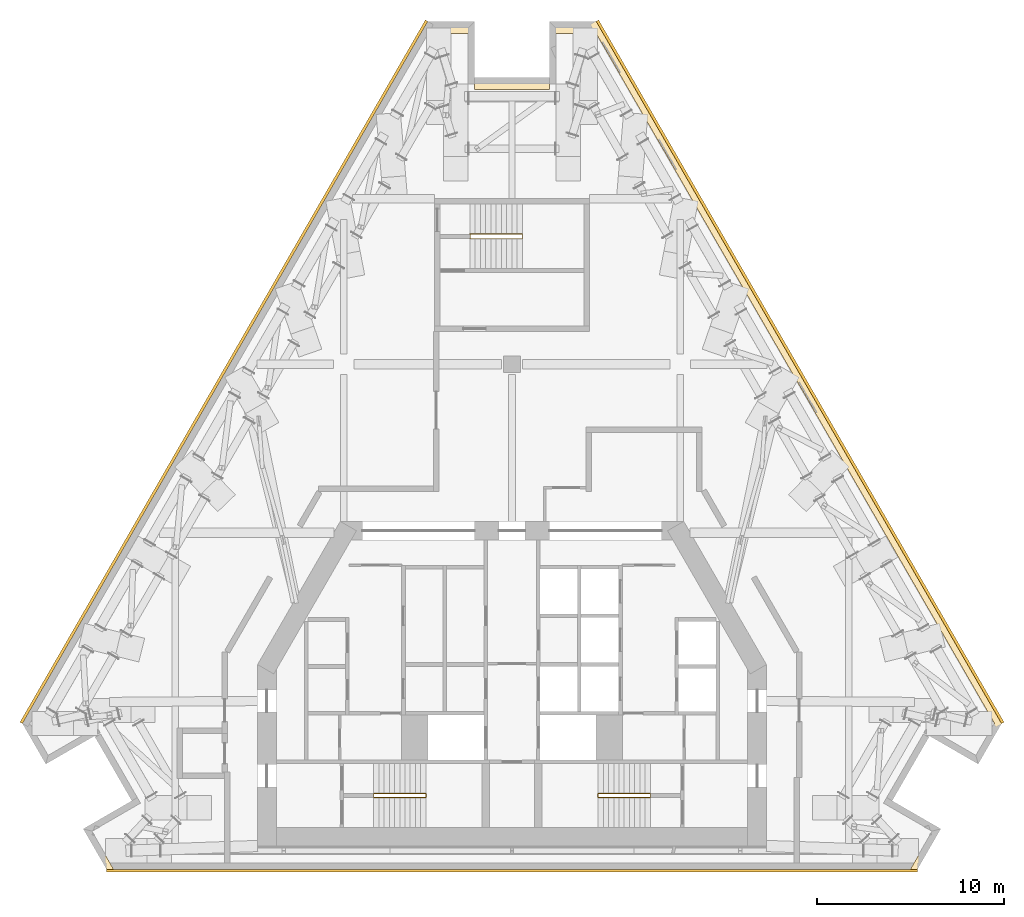
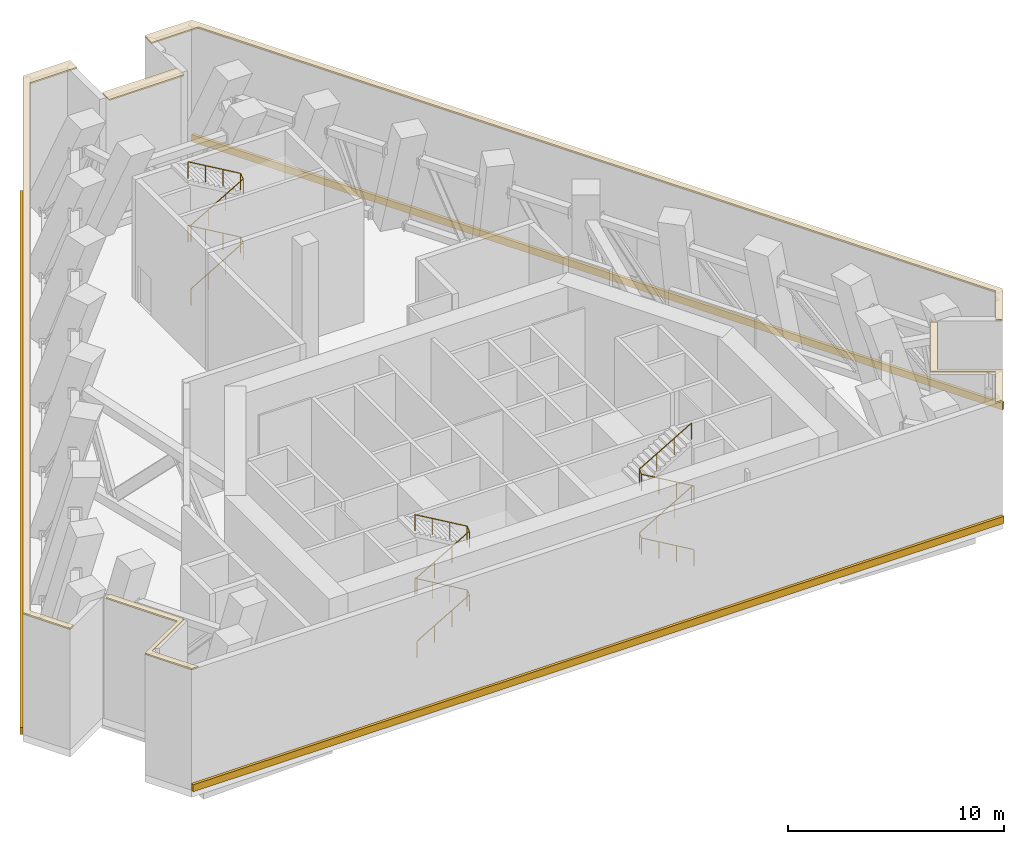
# One storey, part 13 of 13: 8 coverings, 3 railings.
"""IFC4 building model written with IfcOpenShell, lengths in metres."""

from ifc_helpers import new_model, si_unit, direction, frame, origin, origin_2d, place, context, subcontext, project, spatial, polyline, circle, outline, extrude, material, layer, layer_set, type_object, element, save


model = new_model("IFC4")

# Units and contexts
model_context = context("Model", 3, precision=1e-05, world=origin(), true_north=direction((0.0, 1.0)))
body_context = subcontext(model_context, "Body", "Model", "MODEL_VIEW")
ifc_project = project(units=[si_unit("LENGTHUNIT", "METRE"), si_unit("AREAUNIT", "SQUARE_METRE"), si_unit("VOLUMEUNIT", "CUBIC_METRE"), si_unit("PLANEANGLEUNIT", "RADIAN"), si_unit("MASSUNIT", "GRAM", prefix="KILO")], contexts=[model_context])

# Site, building, storey
site_placement = place(None, origin())
site = spatial("IfcSite", under=ifc_project, at=site_placement, CompositionType="ELEMENT")
building_placement = place(site_placement, origin())
building = spatial("IfcBuilding", under=site, at=building_placement, Name="Fogline Exchange Tower", CompositionType="ELEMENT")
storey_placement = place(building_placement, frame((0.0, 0.0, 259.5)))
storey = spatial("IfcBuildingStorey", under=building, at=storey_placement, Name="L59", CompositionType="ELEMENT", Elevation=259.5)

# Coverings
ifc_material_1 = material(Name="Granite", Category="masonry")
ifc_layer = layer(ifc_material_1, 0.080078125)
ifc_layer_set = layer_set([ifc_layer], Name="CP1")
covering_type_1 = type_object("IfcCoveringType", Name="CP1", PredefinedType="USERDEFINED", material=ifc_layer_set)
covering_1_placement = place(storey_placement, frame((0.0, 0.0, 6.800048828125)))
element("IfcCovering", 1, at=covering_1_placement, inside=storey, type_object=covering_type_1, Name="Ledge coping L59", ObjectType="COPING", PredefinedType="USERDEFINED", context=body_context, shape_type="SweptSolid", body=[
    extrude(outline(polyline([(-24.91943359375, 5.629150390625), (-24.64013671875, 5.790283203125), (-25.797119140625, 7.794189453125), (-4.5, 44.681640625), (-2.0, 44.681640625), (-2.0, 45.32666015625), (-4.5, 45.32666015625), (-26.16943359375, 7.794189453125), (-24.91943359375, 5.629150390625)])), origin(), (0.0, 0.0, 1.0), 0.079833984375),
])
covering_2_placement = place(storey_placement, frame((0.0, 0.0, 6.800048828125)))
element("IfcCovering", 2, at=covering_2_placement, inside=storey, type_object=covering_type_1, Name="Ledge coping L59", ObjectType="COPING", PredefinedType="USERDEFINED", context=body_context, shape_type="SweptSolid", body=[
    extrude(outline(polyline([(-21.66943359375, 0.0), (-21.297119140625, 0.0), (-22.547119140625, 2.1650390625), (-19.948974609375, 3.6650390625), (-21.948974609375, 7.129150390625), (-22.228271484375, 6.968017578125), (-20.3212890625, 3.6650390625), (-22.91943359375, 2.1650390625), (-21.66943359375, 0.0)])), origin(), (0.0, 0.0, 1.0), 0.079833984375),
])
covering_3_placement = place(storey_placement, frame((0.0, 0.0, 6.800048828125)))
element("IfcCovering", 3, at=covering_3_placement, inside=storey, type_object=covering_type_1, Name="Ledge coping L59", ObjectType="COPING", PredefinedType="USERDEFINED", context=body_context, shape_type="SweptSolid", body=[
    extrude(outline(polyline([(20.3212890625, 3.6650390625), (22.228271484375, 6.968017578125), (21.948974609375, 7.129150390625), (19.948974609375, 3.6650390625), (22.547119140625, 2.1650390625), (21.297119140625, 0.0), (21.66943359375, 0.0), (22.91943359375, 2.1650390625), (20.3212890625, 3.6650390625)])), origin(), (0.0, 0.0, 1.0), 0.079833984375),
])
covering_4_placement = place(storey_placement, frame((0.0, 0.0, 6.800048828125)))
element("IfcCovering", 4, at=covering_4_placement, inside=storey, type_object=covering_type_1, Name="Ledge coping L59", ObjectType="COPING", PredefinedType="USERDEFINED", context=body_context, shape_type="SweptSolid", body=[
    extrude(outline(polyline([(2.0, 45.32666015625), (2.0, 44.681640625), (4.5, 44.681640625), (25.797119140625, 7.794189453125), (24.64013671875, 5.790283203125), (24.91943359375, 5.629150390625), (26.16943359375, 7.794189453125), (4.5, 45.32666015625), (2.0, 45.32666015625)])), origin(), (0.0, 0.0, 1.0), 0.079833984375),
])
covering_5_placement = place(storey_placement, frame((0.0, 0.0, 6.800048828125)))
element("IfcCovering", 5, at=covering_5_placement, inside=storey, type_object=covering_type_1, Name="Ledge coping L59", ObjectType="COPING", PredefinedType="USERDEFINED", context=body_context, shape_type="SweptSolid", body=[
    extrude(outline(polyline([(2.0, 42.32666015625), (-2.0, 42.32666015625), (-2.0, 41.681640625), (2.0, 41.681640625), (2.0, 42.32666015625)])), origin(), (0.0, 0.0, 1.0), 0.079833984375),
])

# Railings
ifc_material_2 = material(Name="Steel Q235B", Category="steel")
railing_type = type_object("IfcRailingType", Name="RL-HR", PredefinedType="HANDRAIL", material=ifc_material_2)
railing_1_placement = place(storey_placement, frame((-7.39990234375, 3.85009765625, 0.16357421875)))
element("IfcRailing", 6, at=railing_1_placement, inside=storey, type_object=railing_type, Name="Handrail ST1", PredefinedType="HANDRAIL", context=body_context, shape_type="SweptSolid", body=[
    extrude(circle(Radius=0.02392578125, at=origin_2d()), frame((0.0, 0.0, 0.92578125), z_axis=(0.863341702679, 0.0, 0.504619762213), x_axis=(0.0, 1.0, 0.0)), (0.0, 0.0, 1.0), 3.242919921875),
    extrude(circle(Radius=0.02392578125, at=origin_2d()), frame((2.7998046875, 0.0, 2.5625), z_axis=(0.0, 0.773999403868, 0.633186325509), x_axis=(-1.0, 0.0, 0.0)), (0.0, 0.0, 1.0), 0.25830078125),
    extrude(circle(Radius=0.02392578125, at=origin_2d()), frame((2.7998046875, 0.199951171875, 2.72607421875), z_axis=(-0.863341702679, 0.0, 0.504619762213), x_axis=(0.0, -1.0, 0.0)), (0.0, 0.0, 1.0), 3.242919921875),
    extrude(circle(Radius=0.02392578125, at=origin_2d()), frame((0.0, 0.199951171875, 4.3623046875), z_axis=(0.0, -0.773999403868, 0.633186325509), x_axis=(1.0, 0.0, 0.0)), (0.0, 0.0, 1.0), 0.25830078125),
    extrude(circle(Radius=0.02392578125, at=origin_2d()), frame((0.0, 0.0, 4.52587890625), z_axis=(0.863374499697, 0.0, 0.504563646405), x_axis=(0.0, 1.0, 0.0)), (0.0, 0.0, 1.0), 3.242919921875),
    extrude(circle(Radius=0.02392578125, at=origin_2d()), frame((2.7998046875, 0.0, 6.162109375), z_axis=(0.0, 0.773536316473, 0.633751976011), x_axis=(-1.0, 0.0, 0.0)), (0.0, 0.0, 1.0), 0.258544921875),
    extrude(circle(Radius=0.02392578125, at=origin_2d()), frame((2.7998046875, 0.199951171875, 6.326171875), z_axis=(-0.863374499697, 0.0, 0.504563646405), x_axis=(0.0, -1.0, 0.0)), (0.0, 0.0, 1.0), 3.242919921875),
    extrude(circle(Radius=0.02099609375, at=origin_2d()), origin(), (0.0, 0.0, 1.0), 0.90185546875),
    extrude(circle(Radius=0.02099609375, at=origin_2d()), frame((0.933349609375, 0.0, 0.54541015625)), (0.0, 0.0, 1.0), 0.90185546875),
    extrude(circle(Radius=0.02099609375, at=origin_2d()), frame((1.866455078125, 0.0, 1.091064453125)), (0.0, 0.0, 1.0), 0.90185546875),
    extrude(circle(Radius=0.02099609375, at=origin_2d()), frame((2.7998046875, 0.0, 1.636474609375)), (0.0, 0.0, 1.0), 0.90185546875),
    extrude(circle(Radius=0.02099609375, at=origin_2d()), frame((2.7998046875, 0.199951171875, 1.800048828125)), (0.0, 0.0, 1.0), 0.90185546875),
    extrude(circle(Radius=0.02099609375, at=origin_2d()), frame((1.866455078125, 0.199951171875, 2.345458984375)), (0.0, 0.0, 1.0), 0.90185546875),
    extrude(circle(Radius=0.02099609375, at=origin_2d()), frame((0.933349609375, 0.199951171875, 2.89111328125)), (0.0, 0.0, 1.0), 0.90185546875),
    extrude(circle(Radius=0.02099609375, at=origin_2d()), frame((0.0, 0.199951171875, 3.4365234375)), (0.0, 0.0, 1.0), 0.90185546875),
    extrude(circle(Radius=0.02099609375, at=origin_2d()), frame((0.0, 0.0, 3.60009765625)), (0.0, 0.0, 1.0), 0.90185546875),
    extrude(circle(Radius=0.02099609375, at=origin_2d()), frame((0.933349609375, 0.0, 4.1455078125)), (0.0, 0.0, 1.0), 0.90185546875),
    extrude(circle(Radius=0.02099609375, at=origin_2d()), frame((1.866455078125, 0.0, 4.69091796875)), (0.0, 0.0, 1.0), 0.90185546875),
    extrude(circle(Radius=0.02099609375, at=origin_2d()), frame((2.7998046875, 0.0, 5.236328125)), (0.0, 0.0, 1.0), 0.90185546875),
    extrude(circle(Radius=0.02099609375, at=origin_2d()), frame((2.7998046875, 0.199951171875, 5.400146484375)), (0.0, 0.0, 1.0), 0.90185546875),
    extrude(circle(Radius=0.02099609375, at=origin_2d()), frame((1.866455078125, 0.199951171875, 5.945556640625)), (0.0, 0.0, 1.0), 0.90185546875),
    extrude(circle(Radius=0.02099609375, at=origin_2d()), frame((0.933349609375, 0.199951171875, 6.490966796875)), (0.0, 0.0, 1.0), 0.90185546875),
    extrude(circle(Radius=0.02099609375, at=origin_2d()), frame((0.0, 0.199951171875, 7.036376953125)), (0.0, 0.0, 1.0), 0.90185546875),
])
railing_2_placement = place(storey_placement, frame((7.39990234375, 3.85009765625, 0.16357421875)))
element("IfcRailing", 7, at=railing_2_placement, inside=storey, type_object=railing_type, Name="Handrail ST2", PredefinedType="HANDRAIL", context=body_context, shape_type="SweptSolid", body=[
    extrude(circle(Radius=0.02392578125, at=origin_2d()), frame((0.0, 0.0, 0.92578125), z_axis=(-0.863341702679, 0.0, 0.504619762213), x_axis=(0.0, -1.0, 0.0)), (0.0, 0.0, 1.0), 3.242919921875),
    extrude(circle(Radius=0.02392578125, at=origin_2d()), frame((-2.7998046875, 0.0, 2.5625), z_axis=(0.0, 0.773999403868, 0.633186325509), x_axis=(-1.0, 0.0, 0.0)), (0.0, 0.0, 1.0), 0.25830078125),
    extrude(circle(Radius=0.02392578125, at=origin_2d()), frame((-2.7998046875, 0.199951171875, 2.72607421875), z_axis=(0.863341702679, 0.0, 0.504619762213), x_axis=(0.0, 1.0, 0.0)), (0.0, 0.0, 1.0), 3.242919921875),
    extrude(circle(Radius=0.02392578125, at=origin_2d()), frame((0.0, 0.199951171875, 4.3623046875), z_axis=(0.0, -0.773999403868, 0.633186325509), x_axis=(1.0, 0.0, 0.0)), (0.0, 0.0, 1.0), 0.25830078125),
    extrude(circle(Radius=0.02392578125, at=origin_2d()), frame((0.0, 0.0, 4.52587890625), z_axis=(-0.863374499697, 0.0, 0.504563646405), x_axis=(0.0, -1.0, 0.0)), (0.0, 0.0, 1.0), 3.242919921875),
    extrude(circle(Radius=0.02392578125, at=origin_2d()), frame((-2.7998046875, 0.0, 6.162109375), z_axis=(0.0, 0.773536316473, 0.633751976011), x_axis=(-1.0, 0.0, 0.0)), (0.0, 0.0, 1.0), 0.258544921875),
    extrude(circle(Radius=0.02392578125, at=origin_2d()), frame((-2.7998046875, 0.199951171875, 6.326171875), z_axis=(0.863374499697, 0.0, 0.504563646405), x_axis=(0.0, 1.0, 0.0)), (0.0, 0.0, 1.0), 3.242919921875),
    extrude(circle(Radius=0.02099609375, at=origin_2d()), origin(), (0.0, 0.0, 1.0), 0.90185546875),
    extrude(circle(Radius=0.02099609375, at=origin_2d()), frame((-0.933349609375, 0.0, 0.54541015625)), (0.0, 0.0, 1.0), 0.90185546875),
    extrude(circle(Radius=0.02099609375, at=origin_2d()), frame((-1.866455078125, 0.0, 1.091064453125)), (0.0, 0.0, 1.0), 0.90185546875),
    extrude(circle(Radius=0.02099609375, at=origin_2d()), frame((-2.7998046875, 0.0, 1.636474609375)), (0.0, 0.0, 1.0), 0.90185546875),
    extrude(circle(Radius=0.02099609375, at=origin_2d()), frame((-2.7998046875, 0.199951171875, 1.800048828125)), (0.0, 0.0, 1.0), 0.90185546875),
    extrude(circle(Radius=0.02099609375, at=origin_2d()), frame((-1.866455078125, 0.199951171875, 2.345458984375)), (0.0, 0.0, 1.0), 0.90185546875),
    extrude(circle(Radius=0.02099609375, at=origin_2d()), frame((-0.933349609375, 0.199951171875, 2.89111328125)), (0.0, 0.0, 1.0), 0.90185546875),
    extrude(circle(Radius=0.02099609375, at=origin_2d()), frame((0.0, 0.199951171875, 3.4365234375)), (0.0, 0.0, 1.0), 0.90185546875),
    extrude(circle(Radius=0.02099609375, at=origin_2d()), frame((0.0, 0.0, 3.60009765625)), (0.0, 0.0, 1.0), 0.90185546875),
    extrude(circle(Radius=0.02099609375, at=origin_2d()), frame((-0.933349609375, 0.0, 4.1455078125)), (0.0, 0.0, 1.0), 0.90185546875),
    extrude(circle(Radius=0.02099609375, at=origin_2d()), frame((-1.866455078125, 0.0, 4.69091796875)), (0.0, 0.0, 1.0), 0.90185546875),
    extrude(circle(Radius=0.02099609375, at=origin_2d()), frame((-2.7998046875, 0.0, 5.236328125)), (0.0, 0.0, 1.0), 0.90185546875),
    extrude(circle(Radius=0.02099609375, at=origin_2d()), frame((-2.7998046875, 0.199951171875, 5.400146484375)), (0.0, 0.0, 1.0), 0.90185546875),
    extrude(circle(Radius=0.02099609375, at=origin_2d()), frame((-1.866455078125, 0.199951171875, 5.945556640625)), (0.0, 0.0, 1.0), 0.90185546875),
    extrude(circle(Radius=0.02099609375, at=origin_2d()), frame((-0.933349609375, 0.199951171875, 6.490966796875)), (0.0, 0.0, 1.0), 0.90185546875),
    extrude(circle(Radius=0.02099609375, at=origin_2d()), frame((0.0, 0.199951171875, 7.036376953125)), (0.0, 0.0, 1.0), 0.90185546875),
])
railing_3_placement = place(storey_placement, frame((-2.25, 33.70703125, 0.16357421875)))
element("IfcRailing", 8, at=railing_3_placement, inside=storey, type_object=railing_type, Name="Handrail ST3", PredefinedType="HANDRAIL", context=body_context, shape_type="SweptSolid", body=[
    extrude(circle(Radius=0.02392578125, at=origin_2d()), frame((0.0, 0.0, 0.92578125), z_axis=(0.863360870873, 0.0, 0.504586966384), x_axis=(0.0, 1.0, 0.0)), (0.0, 0.0, 1.0), 3.2431640625),
    extrude(circle(Radius=0.02392578125, at=origin_2d()), frame((2.800048828125, 0.0, 2.5625), z_axis=(0.0, 0.836796820337, 0.547513544557), x_axis=(-1.0, 0.0, 0.0)), (0.0, 0.0, 1.0), 0.298828125),
    extrude(circle(Radius=0.02392578125, at=origin_2d()), frame((2.800048828125, 0.25, 2.72607421875), z_axis=(-0.863360870873, 0.0, 0.504586966384), x_axis=(0.0, -1.0, 0.0)), (0.0, 0.0, 1.0), 3.2431640625),
    extrude(circle(Radius=0.02392578125, at=origin_2d()), frame((0.0, 0.25, 4.3623046875), z_axis=(0.0, -0.836796820337, 0.547513544557), x_axis=(1.0, 0.0, 0.0)), (0.0, 0.0, 1.0), 0.298828125),
    extrude(circle(Radius=0.02392578125, at=origin_2d()), frame((0.0, 0.0, 4.52587890625), z_axis=(0.863393664356, 0.0, 0.504530851732), x_axis=(0.0, 1.0, 0.0)), (0.0, 0.0, 1.0), 3.2431640625),
    extrude(circle(Radius=0.02392578125, at=origin_2d()), frame((2.800048828125, 0.0, 6.162109375), z_axis=(0.0, 0.836422393157, 0.548085376766), x_axis=(-1.0, 0.0, 0.0)), (0.0, 0.0, 1.0), 0.298828125),
    extrude(circle(Radius=0.02392578125, at=origin_2d()), frame((2.800048828125, 0.25, 6.326171875), z_axis=(-0.863393664356, 0.0, 0.504530851732), x_axis=(0.0, -1.0, 0.0)), (0.0, 0.0, 1.0), 3.2431640625),
    extrude(circle(Radius=0.02099609375, at=origin_2d()), origin(), (0.0, 0.0, 1.0), 0.90185546875),
    extrude(circle(Radius=0.02099609375, at=origin_2d()), frame((0.933349609375, 0.0, 0.54541015625)), (0.0, 0.0, 1.0), 0.90185546875),
    extrude(circle(Radius=0.02099609375, at=origin_2d()), frame((1.86669921875, 0.0, 1.091064453125)), (0.0, 0.0, 1.0), 0.90185546875),
    extrude(circle(Radius=0.02099609375, at=origin_2d()), frame((2.800048828125, 0.0, 1.636474609375)), (0.0, 0.0, 1.0), 0.90185546875),
    extrude(circle(Radius=0.02099609375, at=origin_2d()), frame((2.800048828125, 0.25, 1.800048828125)), (0.0, 0.0, 1.0), 0.90185546875),
    extrude(circle(Radius=0.02099609375, at=origin_2d()), frame((1.86669921875, 0.25, 2.345458984375)), (0.0, 0.0, 1.0), 0.90185546875),
    extrude(circle(Radius=0.02099609375, at=origin_2d()), frame((0.933349609375, 0.25, 2.89111328125)), (0.0, 0.0, 1.0), 0.90185546875),
    extrude(circle(Radius=0.02099609375, at=origin_2d()), frame((0.0, 0.25, 3.4365234375)), (0.0, 0.0, 1.0), 0.90185546875),
    extrude(circle(Radius=0.02099609375, at=origin_2d()), frame((0.0, 0.0, 3.60009765625)), (0.0, 0.0, 1.0), 0.90185546875),
    extrude(circle(Radius=0.02099609375, at=origin_2d()), frame((0.933349609375, 0.0, 4.1455078125)), (0.0, 0.0, 1.0), 0.90185546875),
    extrude(circle(Radius=0.02099609375, at=origin_2d()), frame((1.86669921875, 0.0, 4.69091796875)), (0.0, 0.0, 1.0), 0.90185546875),
    extrude(circle(Radius=0.02099609375, at=origin_2d()), frame((2.800048828125, 0.0, 5.236328125)), (0.0, 0.0, 1.0), 0.90185546875),
    extrude(circle(Radius=0.02099609375, at=origin_2d()), frame((2.800048828125, 0.25, 5.400146484375)), (0.0, 0.0, 1.0), 0.90185546875),
    extrude(circle(Radius=0.02099609375, at=origin_2d()), frame((1.86669921875, 0.25, 5.945556640625)), (0.0, 0.0, 1.0), 0.90185546875),
    extrude(circle(Radius=0.02099609375, at=origin_2d()), frame((0.933349609375, 0.25, 6.490966796875)), (0.0, 0.0, 1.0), 0.90185546875),
    extrude(circle(Radius=0.02099609375, at=origin_2d()), frame((0.0, 0.25, 7.036376953125)), (0.0, 0.0, 1.0), 0.90185546875),
])

# Coverings
ifc_material_3 = material(Name="Brick masonry", Category="masonry")
covering_type_2 = type_object("IfcCoveringType", Name="SB2", PredefinedType="CLADDING", material=ifc_material_3)
covering_6_placement = place(storey_placement, origin())
element("IfcCovering", 9, at=covering_6_placement, inside=storey, type_object=covering_type_2, Name="Stringcourse band L59 S", PredefinedType="CLADDING", context=body_context, shape_type="SweptSolid", body=[
    extrude(outline(polyline([(-21.66943359375, 0.0), (-21.66943359375, -0.14990234375), (21.66943359375, -0.14990234375), (21.66943359375, 0.0), (-21.66943359375, 0.0)])), origin(), (0.0, 0.0, 1.0), 0.39990234375),
])
covering_7_placement = place(storey_placement, origin())
element("IfcCovering", 10, at=covering_7_placement, inside=storey, type_object=covering_type_2, Name="Stringcourse band L59 E", PredefinedType="CLADDING", context=body_context, shape_type="SweptSolid", body=[
    extrude(outline(polyline([(26.16943359375, 7.794189453125), (26.29931640625, 7.869140625), (4.6298828125, 45.401611328125), (4.5, 45.32666015625), (26.16943359375, 7.794189453125)])), origin(), (0.0, 0.0, 1.0), 0.39990234375),
])
covering_8_placement = place(storey_placement, origin())
element("IfcCovering", 11, at=covering_8_placement, inside=storey, type_object=covering_type_2, Name="Stringcourse band L59 W", PredefinedType="CLADDING", context=body_context, shape_type="SweptSolid", body=[
    extrude(outline(polyline([(-4.5, 45.32666015625), (-4.6298828125, 45.401611328125), (-26.29931640625, 7.869140625), (-26.16943359375, 7.794189453125), (-4.5, 45.32666015625)])), origin(), (0.0, 0.0, 1.0), 0.39990234375),
])

save(model, "model.ifc")
